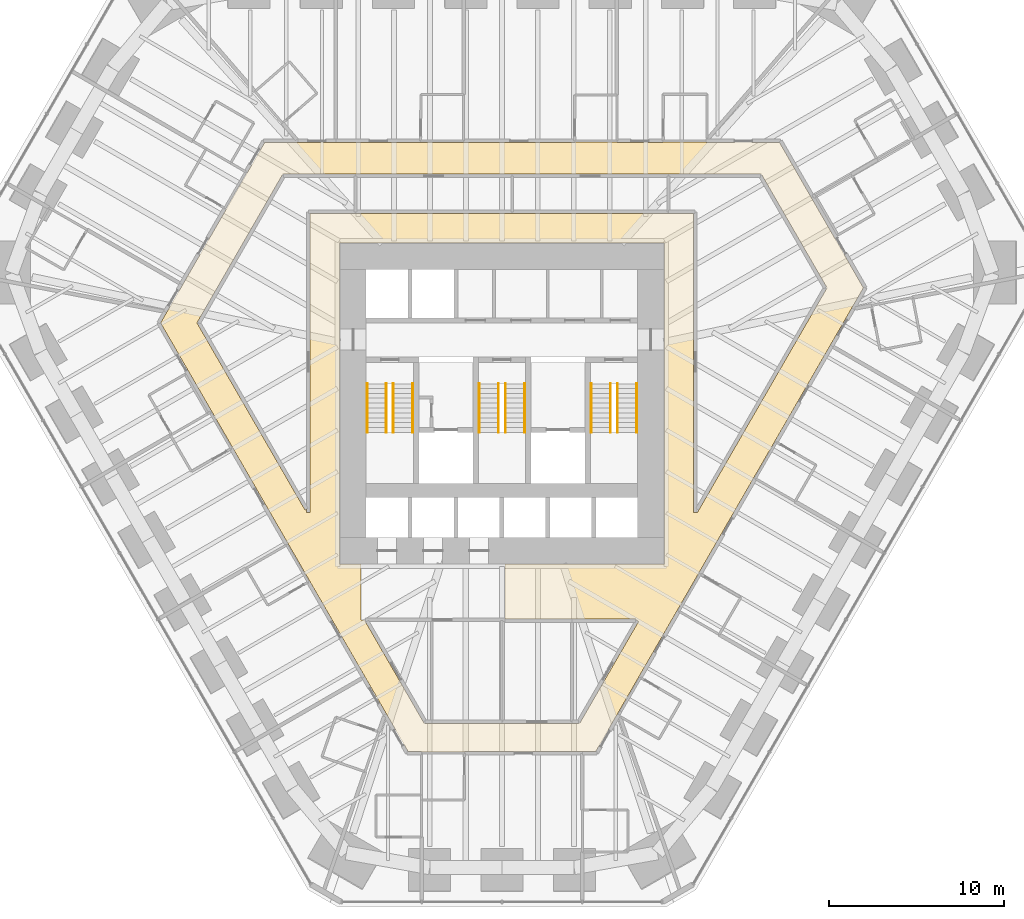
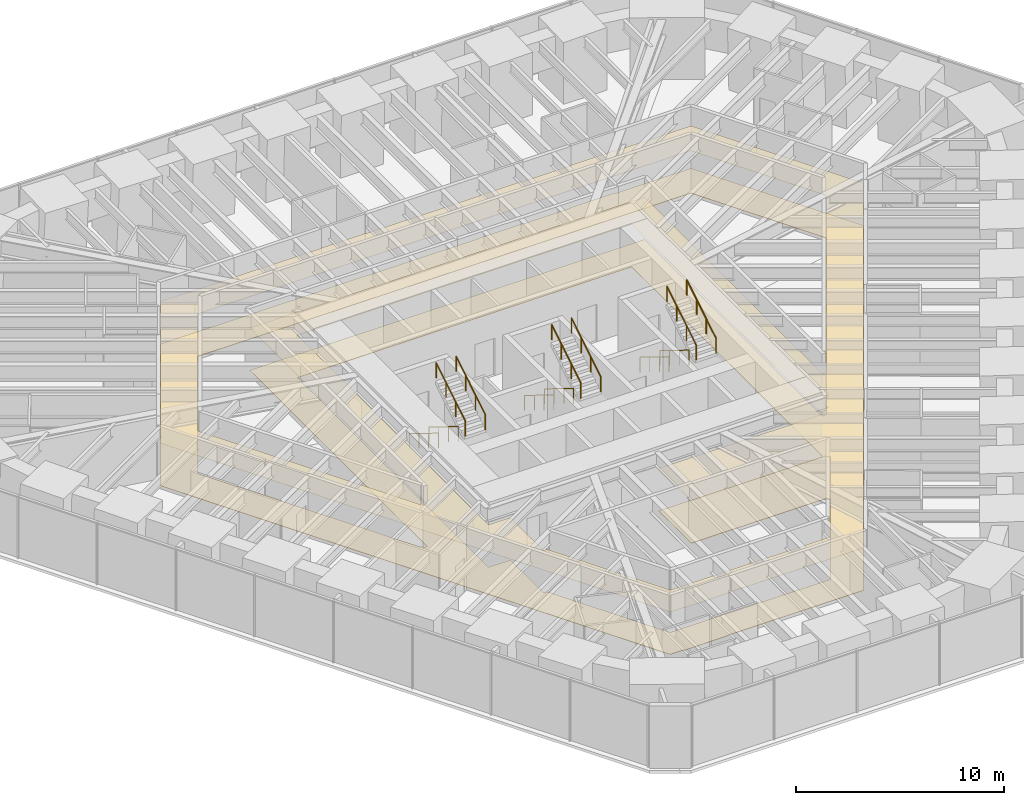
# One storey, part 17 of 17: 12 railings, 2 coverings.
"""IFC4 building model written with IfcOpenShell, lengths in metres."""

import ifcopenshell
import ifcopenshell.guid

model = None  # the IFC model being written
_history = None  # IfcOwnerHistory: only IFC2X3 demands one
_inside = {}  # id of a spatial element -> (the spatial element, [elements in it])
_under = {}  # id of a project, library or spatial element -> (it, [spatial elements below it])
_declared = {}  # id of a project -> (the project, [libraries it declares])
_typed = {}  # id of a type object -> (the type object, [elements of that type])
_made_of = {}  # id of a material, layer set ... -> (it, [elements and type objects made of it])


def new_model(schema):
    """Start an empty IFC model of exactly this schema.

    Asked for "IFC4X3", IfcOpenShell would pick the latest addendum, in which some entities
    have other attributes; the version numbers below select the first issue.
    IFC2X3 requires an IfcOwnerHistory on every rooted entity: one is made here for all.
    """
    global model, _history
    if schema == "IFC4X3":
        model = ifcopenshell.file(schema_version=(4, 3, 0, 0))
    else:
        model = ifcopenshell.file(schema=schema)
    _inside.clear()
    _under.clear()
    _declared.clear()
    _typed.clear()
    _made_of.clear()
    _history = None
    if model.schema == "IFC2X3":
        org = make("IfcOrganization", Name="unknown")
        user = make(
            "IfcPersonAndOrganization",
            ThePerson=make("IfcPerson", FamilyName="unknown"),
            TheOrganization=org,
        )
        app = make(
            "IfcApplication",
            ApplicationDeveloper=org,
            Version="unknown",
            ApplicationFullName="unknown",
            ApplicationIdentifier="unknown",
        )
        _history = make(
            "IfcOwnerHistory",
            OwningUser=user,
            OwningApplication=app,
            ChangeAction="ADDED",
            CreationDate=0,
        )
    return model


def make(cls, **values):
    """One entity of the class cls with the attributes given. An attribute that is None is left unset."""
    return model.create_entity(
        cls, **{name: value for name, value in values.items() if value is not None}
    )


def rooted(cls, **values):
    """An entity with a GlobalId (a new one), such as an element, a storey or a relation."""
    return make(cls, GlobalId=ifcopenshell.guid.new(), OwnerHistory=_history, **values)


def si_unit(unit_type, name, prefix=None):
    """IfcSIUnit, for example si_unit("LENGTHUNIT", "METRE", prefix="MILLI")."""
    return make("IfcSIUnit", UnitType=unit_type, Prefix=prefix, Name=name)


def assignment(units):
    """IfcUnitAssignment: the units of a project."""
    return None if units is None else make("IfcUnitAssignment", Units=units)


def point(xyz):
    """IfcCartesianPoint."""
    return None if xyz is None else make("IfcCartesianPoint", Coordinates=xyz)


def direction(xyz):
    """IfcDirection."""
    return None if xyz is None else make("IfcDirection", DirectionRatios=xyz)


def frame(location, z_axis=None, x_axis=None):
    """IfcAxis2Placement3D, a coordinate frame: its origin and axes. An axis left out is left unset."""
    return make(
        "IfcAxis2Placement3D",
        Location=point(location),
        Axis=direction(z_axis),
        RefDirection=direction(x_axis),
    )


def frame_2d(location, x_axis=None):
    """IfcAxis2Placement2D, a coordinate frame in the plane: its origin and x axis."""
    return make(
        "IfcAxis2Placement2D", Location=point(location), RefDirection=direction(x_axis)
    )


def origin():
    """The frame at (0, 0, 0) with its axes left unset."""
    return frame((0.0, 0.0, 0.0))


def origin_2d():
    """The frame at (0, 0) in the plane with its x axis left unset."""
    return frame_2d((0.0, 0.0))


def place(relative_to, where):
    """IfcLocalPlacement: puts the frame where relative to a parent placement (None: the world)."""
    return make(
        "IfcLocalPlacement", PlacementRelTo=relative_to, RelativePlacement=where
    )


def context(
    kind, dimensions, precision=None, world=None, true_north=None, identifier=None
):
    """IfcGeometricRepresentationContext, for example the 3D "Model" context."""
    return make(
        "IfcGeometricRepresentationContext",
        ContextIdentifier=identifier,
        ContextType=kind,
        CoordinateSpaceDimension=dimensions,
        Precision=precision,
        WorldCoordinateSystem=world,
        TrueNorth=true_north,
    )


def subcontext(parent, identifier, kind, view, scale=None):
    """IfcGeometricRepresentationSubContext, for example "Body" below "Model"."""
    return make(
        "IfcGeometricRepresentationSubContext",
        ContextIdentifier=identifier,
        ContextType=kind,
        ParentContext=parent,
        TargetScale=scale,
        TargetView=view,
    )


def project(units=None, contexts=None):
    """IfcProject with its units and contexts."""
    return rooted(
        "IfcProject",
        Name="project",
        RepresentationContexts=contexts,
        UnitsInContext=assignment(units),
    )


def spatial(cls, under=None, at=None, **own):
    """A site, building, storey or space (cls), placed at a placement, below another one or the project."""
    s = rooted(cls, ObjectPlacement=at, **own)
    if under is not None:
        _under.setdefault(under.id(), (under, []))[1].append(s)
    return s


def polyline(points):
    """IfcPolyline through the points."""
    return make("IfcPolyline", Points=[point(p) for p in points])


def profile(cls, at=None, kind="AREA", **sizes):
    """A parametric profile (cls). Its sizes go by their IFC names, for example OverallWidth=200.0."""
    return make(cls, ProfileType=kind, Position=at, **sizes)


def circle(**sizes):
    """IfcCircleProfileDef."""
    return profile("IfcCircleProfileDef", **sizes)


def outline(outer, holes=None, kind="AREA"):
    """IfcArbitraryClosedProfileDef: a profile drawn as a closed curve; with holes, ...WithVoids."""
    if holes is None:
        return make("IfcArbitraryClosedProfileDef", ProfileType=kind, OuterCurve=outer)
    return make(
        "IfcArbitraryProfileDefWithVoids",
        ProfileType=kind,
        OuterCurve=outer,
        InnerCurves=holes,
    )


def extrude(swept, where, along, depth):
    """IfcExtrudedAreaSolid: the profile swept, set in the frame where, extruded along a direction by depth."""
    return make(
        "IfcExtrudedAreaSolid",
        SweptArea=swept,
        Position=where,
        ExtrudedDirection=direction(along),
        Depth=depth,
    )


def shape(context_of_items, identifier, shape_type, items):
    """IfcShapeRepresentation: the items that make up one representation, for example the "Body"."""
    return make(
        "IfcShapeRepresentation",
        ContextOfItems=context_of_items,
        RepresentationIdentifier=identifier,
        RepresentationType=shape_type,
        Items=items,
    )


def material(Name=None, Category=None):
    """IfcMaterial."""
    return make("IfcMaterial", Name=Name, Category=Category)


def layer(
    of_material, thickness, ventilated=None, Name=None, Category=None, Priority=None
):
    """IfcMaterialLayer: one layer of a wall or slab, of a material (None: an air gap)."""
    return make(
        "IfcMaterialLayer",
        Material=of_material,
        LayerThickness=thickness,
        IsVentilated=ventilated,
        Name=Name,
        Category=Category,
        Priority=Priority,
    )


def layer_set(layers, Name=None):
    """IfcMaterialLayerSet."""
    return make("IfcMaterialLayerSet", MaterialLayers=layers, LayerSetName=Name)


def made_of(thing, what):
    """Note that an element or type object is made of a material, layer set ...; save() writes the relation."""
    if what is not None:
        _made_of.setdefault(what.id(), (what, []))[1].append(thing)
    return thing


def type_object(cls, material=None, **own):
    """A type object (cls), such as IfcWallType, which elements share."""
    return made_of(rooted(cls, **own), material)


def element(
    cls,
    number,
    at=None,
    inside=None,
    cuts=None,
    type_object=None,
    material=None,
    context=None,
    identifier="Body",
    shape_type=None,
    held_by="IfcProductDefinitionShape",
    body=None,
    shapes=None,
    **own,
):
    """One element of the class cls, such as IfcWall. Its Tag is "e" and its number.

    at: its placement. inside: the storey or other place that contains it. cuts: it is an
    opening in that element (IfcRelVoidsElement). A single representation is given by context,
    identifier, shape_type and body (its items); several are given by shapes. held_by: the class
    of the entity that holds the representations. save() writes the other relations.
    """
    e = rooted(cls, Tag="e%d" % number, ObjectPlacement=at, **own)
    if body is not None:
        shapes = [shape(context, identifier, shape_type, body)]
    if shapes is not None:
        e.Representation = make(held_by, Representations=shapes)
    if inside is not None:
        _inside.setdefault(inside.id(), (inside, []))[1].append(e)
    if cuts is not None:
        rooted(
            "IfcRelVoidsElement", RelatingBuildingElement=cuts, RelatedOpeningElement=e
        )
    if type_object is not None:
        _typed.setdefault(type_object.id(), (type_object, []))[1].append(e)
    return made_of(e, material)


def aggregate(whole, parts):
    """IfcRelAggregates: a whole, such as a stair, and the parts it consists of."""
    return rooted("IfcRelAggregates", RelatingObject=whole, RelatedObjects=parts)


def save(model, path):
    """Write the relations noted so far, then the file.

    IfcRelAggregates (storeys below a building ...), IfcRelContainedInSpatialStructure (elements
    in a storey), IfcRelDefinesByType, IfcRelAssociatesMaterial and IfcRelDeclares: one each for
    every whole, place, type object, material and project.
    """
    for whole, parts in _under.values():
        aggregate(whole, parts)
    for where, things in _inside.values():
        rooted(
            "IfcRelContainedInSpatialStructure",
            RelatedElements=things,
            RelatingStructure=where,
        )
    for kind, things in _typed.values():
        rooted("IfcRelDefinesByType", RelatedObjects=things, RelatingType=kind)
    for what, things in _made_of.values():
        rooted("IfcRelAssociatesMaterial", RelatedObjects=things, RelatingMaterial=what)
    for by, libraries in _declared.values():
        rooted("IfcRelDeclares", RelatingContext=by, RelatedDefinitions=libraries)
    model.write(path)


model = new_model("IFC4")

# Units and contexts
model_context = context("Model", 3, precision=1e-05, world=origin(), true_north=direction((0.0, 1.0)))
body_context = subcontext(model_context, "Body", "Model", "MODEL_VIEW")
ifc_project = project(units=[si_unit("LENGTHUNIT", "METRE"), si_unit("AREAUNIT", "SQUARE_METRE"), si_unit("VOLUMEUNIT", "CUBIC_METRE"), si_unit("PLANEANGLEUNIT", "RADIAN"), si_unit("MASSUNIT", "GRAM", prefix="KILO")], contexts=[model_context])

# Site, building, storey
site_placement = place(None, origin())
site = spatial("IfcSite", under=ifc_project, at=site_placement, CompositionType="ELEMENT")
building_placement = place(site_placement, origin())
building = spatial("IfcBuilding", under=site, at=building_placement, Name="Sandreach Pilgrim Tower", CompositionType="ELEMENT")
storey_placement = place(building_placement, frame((0.0, 0.0, 68.60009765625)))
storey = spatial("IfcBuildingStorey", under=building, at=storey_placement, Name="L16", CompositionType="ELEMENT", Elevation=68.60009765625)

# Covering
ifc_material_1 = material(Name="Gypsum board suspended ceiling on a steel grid", Category="steel")
ifc_layer_1 = layer(ifc_material_1, 0.012939453125)
ifc_layer_set_1 = layer_set([ifc_layer_1], Name="Gypsum board suspended ceiling")
covering_type_1 = type_object("IfcCoveringType", Name="Gypsum board suspended ceiling", PredefinedType="CEILING", material=ifc_layer_set_1)
covering_1_placement = place(storey_placement, frame((0.0, 0.0, 2.5)))
element("IfcCovering", 1, at=covering_1_placement, inside=storey, type_object=covering_type_1, Name="Ceiling 16C Corridor 16", PredefinedType="CEILING", context=body_context, shape_type="SweptSolid", body=[
    extrude(outline(polyline([(-19.49462890625, 3.06005859375), (-13.55224609375, 13.35009765625), (-4.639892578125, 13.35009765625), (-4.639892578125, 13.3642578125), (-2.18994140625, 13.367919921875), (-2.18994140625, 13.35009765625), (4.159912109375, 13.35009765625), (4.159912109375, 13.378173828125), (6.56005859375, 13.3818359375), (6.56005859375, 13.35009765625), (9.2099609375, 13.35009765625), (9.2099609375, 13.38623046875), (11.64990234375, 13.389892578125), (11.64990234375, 13.35009765625), (15.8623046875, 13.35009765625), (20.64453125, 5.059814453125), (5.3623046875, -21.409912109375), (-2.139892578125, -21.409912109375), (-2.139892578125, -21.440185546875), (-4.590087890625, -21.449951171875), (-4.590087890625, -21.409912109375), (-5.3623046875, -21.409912109375), (-19.49462890625, 3.06005859375)]), holes=[polyline([(-17.41552734375, 3.06005859375), (-11.24658203125, -7.61962890625), (-11.14990234375, -7.563720703125), (-11.14990234375, -7.760009765625), (-10.949951171875, -7.760009765625), (-10.949951171875, 9.300048828125), (10.949951171875, 9.300048828125), (10.949951171875, -7.760009765625), (11.16552734375, -7.760009765625), (18.5654296875, 5.06005859375), (14.817626953125, 11.550048828125), (-12.517822265625, 11.550048828125), (-17.41552734375, 3.06005859375)]), polyline([(-8.050048828125, -10.719970703125), (-8.050048828125, -13.89990234375), (-7.8544921875, -13.89990234375), (-4.437744140625, -19.81005859375), (4.437744140625, -19.81005859375), (7.796630859375, -14.0), (7.635009765625, -13.85009765625), (0.179931640625, -13.85009765625), (0.175048828125, -10.719970703125), (9.27001953125, -10.719970703125), (9.27001953125, 7.6201171875), (-9.27001953125, 7.6201171875), (-9.27001953125, -10.719970703125), (-8.050048828125, -10.719970703125)])]), origin(), (0.0, 0.0, 1.0), 0.012939453125),
])

# Railings
ifc_material_2 = material(Name="Stainless steel tube", Category="steel")
railing_type = type_object("IfcRailingType", Name="Stair handrail", PredefinedType="HANDRAIL", material=ifc_material_2)
for number, where, name in (
    (2, (-6.60009765625, -0.39990234375, 0.172607421875), "Handrail ST1 L16 flight 1"),
    (3, (-7.699951171875, -0.39990234375, 0.172607421875), "Handrail ST1 L16 flight 1"),
):
    element("IfcRailing", number, at=place(storey_placement, frame(where)), inside=storey, type_object=railing_type, Name=name, PredefinedType="HANDRAIL", context=body_context, shape_type="SweptSolid", body=[
        extrude(circle(Radius=0.02392578125, at=origin_2d()), frame((0.0, 0.0, 0.8759765625), z_axis=(0.0, -0.851089632645, 0.525020415988), x_axis=(1.0, 0.0, 0.0)), (0.0, 0.0, 1.0), 3.2900390625),
        extrude(circle(Radius=0.02099609375, at=origin_2d()), origin(), (0.0, 0.0, 1.0), 0.851806640625),
        extrude(circle(Radius=0.02099609375, at=origin_2d()), frame((0.0, -0.933349609375, 0.57568359375)), (0.0, 0.0, 1.0), 0.851806640625),
        extrude(circle(Radius=0.02099609375, at=origin_2d()), frame((0.0, -1.86669921875, 1.151611328125)), (0.0, 0.0, 1.0), 0.851806640625),
        extrude(circle(Radius=0.02099609375, at=origin_2d()), frame((0.0, -2.800048828125, 1.727294921875)), (0.0, 0.0, 1.0), 0.851806640625),
    ])
for number, where, name in (
    (4, (-6.199951171875, -3.199951171875, 2.072509765625), "Handrail ST1 L16 flight 2"),
    (5, (-5.10009765625, -3.199951171875, 2.072509765625), "Handrail ST1 L16 flight 2"),
):
    element("IfcRailing", number, at=place(storey_placement, frame(where)), inside=storey, type_object=railing_type, Name=name, PredefinedType="HANDRAIL", context=body_context, shape_type="SweptSolid", body=[
        extrude(circle(Radius=0.02392578125, at=origin_2d()), frame((0.0, 0.0, 0.8759765625), z_axis=(0.0, 0.851089632645, 0.525020415988), x_axis=(-1.0, 0.0, 0.0)), (0.0, 0.0, 1.0), 3.2900390625),
        extrude(circle(Radius=0.02099609375, at=origin_2d()), origin(), (0.0, 0.0, 1.0), 0.851806640625),
        extrude(circle(Radius=0.02099609375, at=origin_2d()), frame((0.0, 0.933349609375, 0.57568359375)), (0.0, 0.0, 1.0), 0.851806640625),
        extrude(circle(Radius=0.02099609375, at=origin_2d()), frame((0.0, 1.86669921875, 1.151611328125)), (0.0, 0.0, 1.0), 0.851806640625),
        extrude(circle(Radius=0.02099609375, at=origin_2d()), frame((0.0, 2.800048828125, 1.727294921875)), (0.0, 0.0, 1.0), 0.851806640625),
    ])
for number, where, name in (
    (6, (-0.199951171875, -0.39990234375, 0.172607421875), "Handrail ST3 L16 flight 1"),
    (7, (-1.300048828125, -0.39990234375, 0.172607421875), "Handrail ST3 L16 flight 1"),
):
    element("IfcRailing", number, at=place(storey_placement, frame(where)), inside=storey, type_object=railing_type, Name=name, PredefinedType="HANDRAIL", context=body_context, shape_type="SweptSolid", body=[
        extrude(circle(Radius=0.02392578125, at=origin_2d()), frame((0.0, 0.0, 0.8759765625), z_axis=(0.0, -0.851089632645, 0.525020415988), x_axis=(1.0, 0.0, 0.0)), (0.0, 0.0, 1.0), 3.2900390625),
        extrude(circle(Radius=0.02099609375, at=origin_2d()), origin(), (0.0, 0.0, 1.0), 0.851806640625),
        extrude(circle(Radius=0.02099609375, at=origin_2d()), frame((0.0, -0.933349609375, 0.57568359375)), (0.0, 0.0, 1.0), 0.851806640625),
        extrude(circle(Radius=0.02099609375, at=origin_2d()), frame((0.0, -1.86669921875, 1.151611328125)), (0.0, 0.0, 1.0), 0.851806640625),
        extrude(circle(Radius=0.02099609375, at=origin_2d()), frame((0.0, -2.800048828125, 1.727294921875)), (0.0, 0.0, 1.0), 0.851806640625),
    ])
for number, where, name in (
    (8, (0.199951171875, -3.199951171875, 2.072509765625), "Handrail ST3 L16 flight 2"),
    (9, (1.300048828125, -3.199951171875, 2.072509765625), "Handrail ST3 L16 flight 2"),
):
    element("IfcRailing", number, at=place(storey_placement, frame(where)), inside=storey, type_object=railing_type, Name=name, PredefinedType="HANDRAIL", context=body_context, shape_type="SweptSolid", body=[
        extrude(circle(Radius=0.02392578125, at=origin_2d()), frame((0.0, 0.0, 0.8759765625), z_axis=(0.0, 0.851089632645, 0.525020415988), x_axis=(-1.0, 0.0, 0.0)), (0.0, 0.0, 1.0), 3.2900390625),
        extrude(circle(Radius=0.02099609375, at=origin_2d()), origin(), (0.0, 0.0, 1.0), 0.851806640625),
        extrude(circle(Radius=0.02099609375, at=origin_2d()), frame((0.0, 0.933349609375, 0.57568359375)), (0.0, 0.0, 1.0), 0.851806640625),
        extrude(circle(Radius=0.02099609375, at=origin_2d()), frame((0.0, 1.86669921875, 1.151611328125)), (0.0, 0.0, 1.0), 0.851806640625),
        extrude(circle(Radius=0.02099609375, at=origin_2d()), frame((0.0, 2.800048828125, 1.727294921875)), (0.0, 0.0, 1.0), 0.851806640625),
    ])
for number, where, name in (
    (10, (6.199951171875, -0.39990234375, 0.172607421875), "Handrail ST2 L16 flight 1"),
    (11, (5.10009765625, -0.39990234375, 0.172607421875), "Handrail ST2 L16 flight 1"),
):
    element("IfcRailing", number, at=place(storey_placement, frame(where)), inside=storey, type_object=railing_type, Name=name, PredefinedType="HANDRAIL", context=body_context, shape_type="SweptSolid", body=[
        extrude(circle(Radius=0.02392578125, at=origin_2d()), frame((0.0, 0.0, 0.8759765625), z_axis=(0.0, -0.851089632645, 0.525020415988), x_axis=(1.0, 0.0, 0.0)), (0.0, 0.0, 1.0), 3.2900390625),
        extrude(circle(Radius=0.02099609375, at=origin_2d()), origin(), (0.0, 0.0, 1.0), 0.851806640625),
        extrude(circle(Radius=0.02099609375, at=origin_2d()), frame((0.0, -0.933349609375, 0.57568359375)), (0.0, 0.0, 1.0), 0.851806640625),
        extrude(circle(Radius=0.02099609375, at=origin_2d()), frame((0.0, -1.86669921875, 1.151611328125)), (0.0, 0.0, 1.0), 0.851806640625),
        extrude(circle(Radius=0.02099609375, at=origin_2d()), frame((0.0, -2.800048828125, 1.727294921875)), (0.0, 0.0, 1.0), 0.851806640625),
    ])
for number, where, name in (
    (12, (6.60009765625, -3.199951171875, 2.072509765625), "Handrail ST2 L16 flight 2"),
    (13, (7.699951171875, -3.199951171875, 2.072509765625), "Handrail ST2 L16 flight 2"),
):
    element("IfcRailing", number, at=place(storey_placement, frame(where)), inside=storey, type_object=railing_type, Name=name, PredefinedType="HANDRAIL", context=body_context, shape_type="SweptSolid", body=[
        extrude(circle(Radius=0.02392578125, at=origin_2d()), frame((0.0, 0.0, 0.8759765625), z_axis=(0.0, 0.851089632645, 0.525020415988), x_axis=(-1.0, 0.0, 0.0)), (0.0, 0.0, 1.0), 3.2900390625),
        extrude(circle(Radius=0.02099609375, at=origin_2d()), origin(), (0.0, 0.0, 1.0), 0.851806640625),
        extrude(circle(Radius=0.02099609375, at=origin_2d()), frame((0.0, 0.933349609375, 0.57568359375)), (0.0, 0.0, 1.0), 0.851806640625),
        extrude(circle(Radius=0.02099609375, at=origin_2d()), frame((0.0, 1.86669921875, 1.151611328125)), (0.0, 0.0, 1.0), 0.851806640625),
        extrude(circle(Radius=0.02099609375, at=origin_2d()), frame((0.0, 2.800048828125, 1.727294921875)), (0.0, 0.0, 1.0), 0.851806640625),
    ])

# Covering
ifc_material_3 = material(Name="Cement terrazzo, ground and polished", Category="terrazzo")
ifc_layer_2 = layer(ifc_material_3, 0.02490234375)
ifc_layer_set_2 = layer_set([ifc_layer_2], Name="Terrazzo")
covering_type_2 = type_object("IfcCoveringType", Name="Terrazzo", PredefinedType="FLOORING", material=ifc_layer_set_2)
covering_2_placement = place(storey_placement, origin())
element("IfcCovering", 14, at=covering_2_placement, inside=storey, type_object=covering_type_2, Name="Floor finish 16C Corridor 16", PredefinedType="FLOORING", context=body_context, shape_type="SweptSolid", body=[
    extrude(outline(polyline([(-19.49462890625, 3.06005859375), (-13.55224609375, 13.35009765625), (-4.639892578125, 13.35009765625), (-4.639892578125, 13.3642578125), (-2.18994140625, 13.367919921875), (-2.18994140625, 13.35009765625), (4.159912109375, 13.35009765625), (4.159912109375, 13.378173828125), (6.56005859375, 13.3818359375), (6.56005859375, 13.35009765625), (9.2099609375, 13.35009765625), (9.2099609375, 13.38623046875), (11.64990234375, 13.389892578125), (11.64990234375, 13.35009765625), (15.8623046875, 13.35009765625), (20.64453125, 5.059814453125), (5.3623046875, -21.409912109375), (-2.139892578125, -21.409912109375), (-2.139892578125, -21.440185546875), (-4.590087890625, -21.449951171875), (-4.590087890625, -21.409912109375), (-5.3623046875, -21.409912109375), (-19.49462890625, 3.06005859375)]), holes=[polyline([(-17.41552734375, 3.06005859375), (-11.24658203125, -7.61962890625), (-11.14990234375, -7.563720703125), (-11.14990234375, -7.760009765625), (-10.949951171875, -7.760009765625), (-10.949951171875, 9.300048828125), (10.949951171875, 9.300048828125), (10.949951171875, -7.760009765625), (11.16552734375, -7.760009765625), (18.5654296875, 5.06005859375), (14.817626953125, 11.550048828125), (-12.517822265625, 11.550048828125), (-17.41552734375, 3.06005859375)]), polyline([(-8.050048828125, -10.719970703125), (-8.050048828125, -13.89990234375), (-7.8544921875, -13.89990234375), (-4.437744140625, -19.81005859375), (4.437744140625, -19.81005859375), (7.796630859375, -14.0), (7.635009765625, -13.85009765625), (0.179931640625, -13.85009765625), (0.175048828125, -10.719970703125), (9.27001953125, -10.719970703125), (9.27001953125, 7.6201171875), (-9.27001953125, 7.6201171875), (-9.27001953125, -10.719970703125), (-8.050048828125, -10.719970703125)])]), origin(), (0.0, 0.0, 1.0), 0.02490234375),
])

save(model, "model.ifc")
